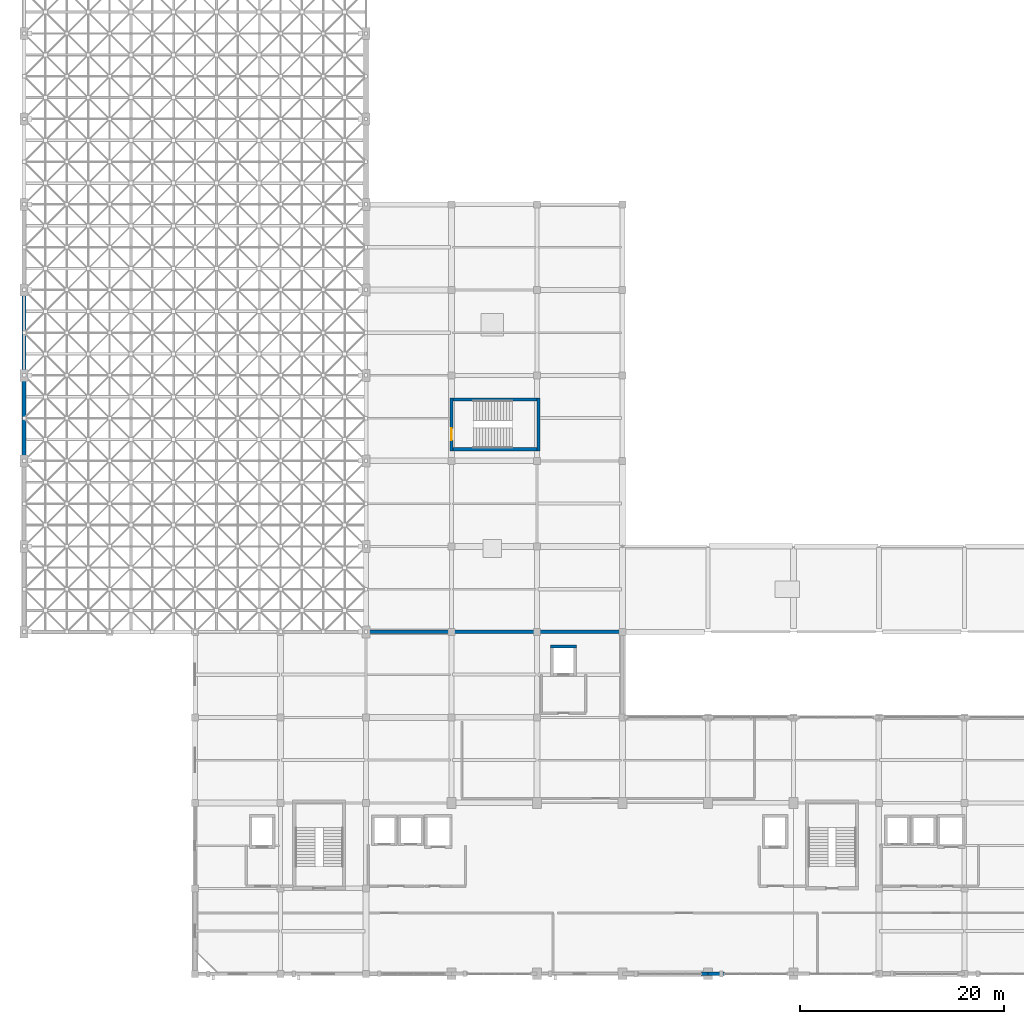
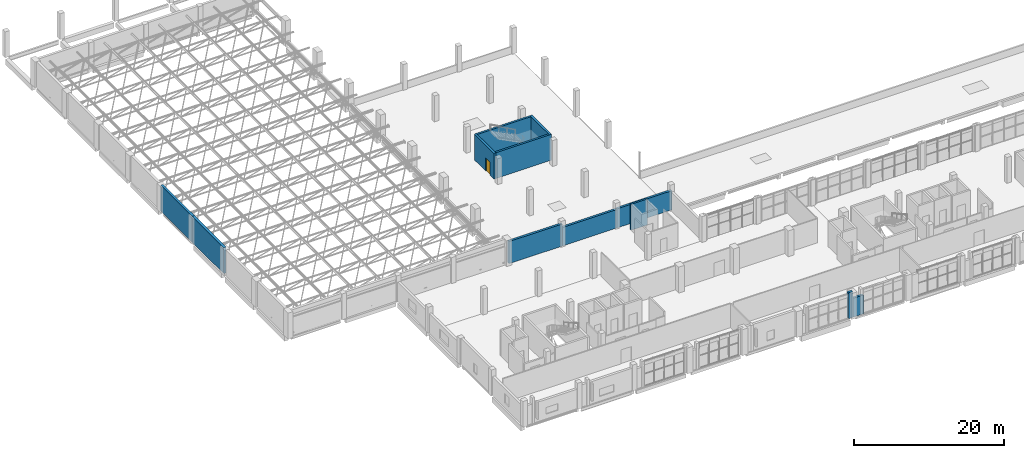
# One storey, part 53 of 64: 12 walls, 1 door, 1 opening.
"""IFC4 building model written with IfcOpenShell, lengths in metres."""

from ifc_helpers import new_model, si_unit, derived_unit, direction, frame, frame_2d, origin, place, context, subcontext, project, spatial, rectangle, extrude, material, layer, layer_set, type_object, element, fill, save


model = new_model("IFC4")

# Units and contexts
model_context = context("Model", 3, precision=1e-05, world=origin(), true_north=direction((0.0, 1.0)))
body_context = subcontext(model_context, "Body", "Model", "MODEL_VIEW")
ifc_project = project(units=[si_unit("LENGTHUNIT", "METRE"), si_unit("AREAUNIT", "SQUARE_METRE"), si_unit("VOLUMEUNIT", "CUBIC_METRE"), si_unit("PLANEANGLEUNIT", "RADIAN"), si_unit("MASSUNIT", "GRAM", prefix="KILO"), derived_unit("THERMALTRANSMITTANCEUNIT", [(si_unit("POWERUNIT", "WATT"), 1), (si_unit("LENGTHUNIT", "METRE"), -2), (si_unit("THERMODYNAMICTEMPERATUREUNIT", "KELVIN"), -1)])], contexts=[model_context])

# Site, building, storey
site_placement = place(None, origin())
site = spatial("IfcSite", under=ifc_project, at=site_placement, CompositionType="ELEMENT")
building_placement = place(site_placement, origin())
building = spatial("IfcBuilding", under=site, at=building_placement, Name="Barrovel Congress Hotel", CompositionType="ELEMENT")
storey_placement = place(building_placement, frame((0.0, 0.0, 14.10009765625)))
storey = spatial("IfcBuildingStorey", under=building, at=storey_placement, Name="L03", CompositionType="ELEMENT", Elevation=14.10009765625)

# Walls
ifc_material_1 = material(Name="Fired Clay Brick Masonry", Category="masonry")
ifc_layer_1 = layer(ifc_material_1, 0.340087890625)
ifc_layer_set_1 = layer_set([ifc_layer_1], Name="Fired Clay Brick Masonry")
wall_type_1 = type_object("IfcWallType", Name="EW-BRK340", PredefinedType="STANDARD", material=ifc_layer_set_1)
wall_1_placement = place(storey_placement, frame((58.800048828125, 37.800048828125, 0.0), z_axis=(0.0, 0.0, 1.0), x_axis=(-1.0, 0.0, 0.0)))
element("IfcWall", 1, at=wall_1_placement, inside=storey, type_object=wall_type_1, Name="EW:L03:V4N-W:P01", PredefinedType="STANDARD", context=body_context, shape_type="SweptSolid", body=[
    extrude(rectangle(XDim=8.400146484375, YDim=0.340087890625, at=frame_2d((4.2001953125, 0.0))), origin(), (0.0, 0.0, 1.0), 3.099853515625),
])
wall_2_placement = place(storey_placement, frame((50.39990234375, 37.800048828125, 0.0), z_axis=(0.0, 0.0, 1.0), x_axis=(-1.0, 0.0, 0.0)))
element("IfcWall", 2, at=wall_2_placement, inside=storey, type_object=wall_type_1, Name="EW:L03:V4N-W:P02", PredefinedType="STANDARD", context=body_context, shape_type="SweptSolid", body=[
    extrude(rectangle(XDim=8.39990234375, YDim=0.340087890625, at=frame_2d((4.199951171875, 0.0))), origin(), (0.0, 0.0, 1.0), 3.0),
])
wall_3_placement = place(storey_placement, frame((42.0, 37.800048828125, 0.0), z_axis=(0.0, 0.0, 1.0), x_axis=(-1.0, 0.0, 0.0)))
element("IfcWall", 3, at=wall_3_placement, inside=storey, type_object=wall_type_1, Name="EW:L03:V4N-W:P03", PredefinedType="STANDARD", context=body_context, shape_type="SweptSolid", body=[
    extrude(rectangle(XDim=8.199951171875, YDim=0.340087890625, at=frame_2d((4.10009765625, 0.0))), origin(), (0.0, 0.0, 1.0), 3.58984375),
])
ifc_layer_2 = layer(ifc_material_1, 0.360107421875)
ifc_layer_set_2 = layer_set([ifc_layer_2], Name="Fired Clay Brick Masonry")
wall_type_2 = type_object("IfcWallType", Name="EW-BRK360", PredefinedType="STANDARD", material=ifc_layer_set_2)
wall_4_placement = place(storey_placement, frame((66.5400390625, 4.199951171875, 0.0), z_axis=(0.0, 0.0, 1.0), x_axis=(1.0, 0.0, 0.0)))
element("IfcWall", 4, at=wall_4_placement, inside=storey, type_object=wall_type_2, Name="EW:L03:SJ-R:7", PredefinedType="STANDARD", context=body_context, shape_type="SweptSolid", body=[
    extrude(rectangle(XDim=0.659912109375, YDim=0.360107421875, at=frame_2d((0.330078125, 0.0))), origin(), (0.0, 0.0, 1.0), 4.199951171875),
])
wall_5_placement = place(storey_placement, frame((67.199951171875, 4.199951171875, 0.0), z_axis=(0.0, 0.0, 1.0), x_axis=(1.0, 0.0, 0.0)))
element("IfcWall", 5, at=wall_5_placement, inside=storey, type_object=wall_type_2, Name="EW:L03:SJ-L:8", PredefinedType="STANDARD", context=body_context, shape_type="SweptSolid", body=[
    extrude(rectangle(XDim=1.6201171875, YDim=0.360107421875, at=frame_2d((0.81005859375, 0.0))), origin(), (0.0, 0.0, 1.0), 3.0498046875),
])
ifc_layer_3 = layer(ifc_material_1, 0.3798828125)
ifc_layer_set_3 = layer_set([ifc_layer_3], Name="Fired Clay Brick Masonry")
wall_type_3 = type_object("IfcWallType", Name="EW-BRK380", PredefinedType="STANDARD", material=ifc_layer_set_3)
for number, where, z_axis, x_axis, name in (
    (6, (0.0, 71.39990234375, 0.0), (0.0, 0.0, 1.0), (0.0, -1.0, 0.0), "EW:L03:V1W:63.0"),
    (7, (0.0, 63.0, 0.0), (0.0, 0.0, 1.0), (0.0, -1.0, 0.0), "EW:L03:V1W:54.6"),
):
    element("IfcWall", number, at=place(storey_placement, frame(where, z_axis=z_axis, x_axis=x_axis)), inside=storey, type_object=wall_type_3, Name=name, PredefinedType="STANDARD", context=body_context, shape_type="SweptSolid", body=[
        extrude(rectangle(XDim=8.39990234375, YDim=0.3798828125, at=frame_2d((4.199951171875, 0.0))), origin(), (0.0, 0.0, 1.0), 4.199951171875),
    ])
ifc_material_2 = material(Name="Concrete C40", Category="concrete")
ifc_layer_4 = layer(ifc_material_2, 0.280029296875)
ifc_layer_set_4 = layer_set([ifc_layer_4], Name="Concrete C40")
wall_type_4 = type_object("IfcWallType", Name="SW-C40-280", PredefinedType="SHEAR", material=ifc_layer_set_4)
wall_6_placement = place(storey_placement, frame((54.260009765625, 36.3701171875, 0.0), z_axis=(0.0, 0.0, 1.0), x_axis=(-1.0, 0.0, 0.0)))
element("IfcWall", 8, at=wall_6_placement, inside=storey, type_object=wall_type_4, Name="LSH:CL-1:L03:N", PredefinedType="SHEAR", context=body_context, shape_type="SweptSolid", body=[
    extrude(rectangle(XDim=2.52001953125, YDim=0.280029296875, at=frame_2d((1.260009765625, 0.0))), origin(), (0.0, 0.0, 1.0), 4.199951171875),
])
ifc_layer_5 = layer(ifc_material_2, 0.300048828125)
ifc_layer_set_5 = layer_set([ifc_layer_5], Name="Concrete C40")
wall_type_5 = type_object("IfcWallType", Name="SW-C40-300", PredefinedType="SHEAR", material=ifc_layer_set_5)
wall_7_placement = place(storey_placement, frame((41.860107421875, 55.75, 0.0), z_axis=(0.0, 0.0, 1.0), x_axis=(1.0, 0.0, 0.0)))
element("IfcWall", 9, at=wall_7_placement, inside=storey, type_object=wall_type_5, Name="SHW:XS-05:L03:S", PredefinedType="SHEAR", context=body_context, shape_type="SweptSolid", body=[
    extrude(rectangle(XDim=8.83984375, YDim=0.300048828125, at=frame_2d((4.419921875, 0.0))), origin(), (0.0, 0.0, 1.0), 4.199951171875),
])
wall_8_placement = place(storey_placement, frame((50.550048828125, 55.60009765625, 0.0), z_axis=(0.0, 0.0, 1.0), x_axis=(0.0, 1.0, 0.0)))
element("IfcWall", 10, at=wall_8_placement, inside=storey, type_object=wall_type_5, Name="SHW:XS-05:L03:E", PredefinedType="SHEAR", context=body_context, shape_type="SweptSolid", body=[
    extrude(rectangle(XDim=5.199951171875, YDim=0.300048828125, at=frame_2d((2.60009765625, 0.0))), origin(), (0.0, 0.0, 1.0), 4.199951171875),
])
wall_9_placement = place(storey_placement, frame((50.699951171875, 60.64990234375, 0.0), z_axis=(0.0, 0.0, 1.0), x_axis=(-1.0, 0.0, 0.0)))
element("IfcWall", 11, at=wall_9_placement, inside=storey, type_object=wall_type_5, Name="SHW:XS-05:L03:N", PredefinedType="SHEAR", context=body_context, shape_type="SweptSolid", body=[
    extrude(rectangle(XDim=8.83984375, YDim=0.300048828125, at=frame_2d((4.419921875, 0.0))), origin(), (0.0, 0.0, 1.0), 4.199951171875),
])

# Wall, opening, door
wall_10_placement = place(storey_placement, frame((42.010009765625, 60.800048828125, 0.0), z_axis=(0.0, 0.0, 1.0), x_axis=(0.0, -1.0, 0.0)))
wall_10 = element("IfcWall", 12, at=wall_10_placement, inside=storey, type_object=wall_type_5, Name="SHW:XS-05:L03:W", PredefinedType="SHEAR", context=body_context, shape_type="SweptSolid", body=[
    extrude(rectangle(XDim=5.199951171875, YDim=0.300048828125, at=frame_2d((2.60009765625, 0.0))), origin(), (0.0, 0.0, 1.0), 4.199951171875),
])
opening_placement = place(wall_10_placement, frame((3.0, 0.0, 0.0)))
opening = element("IfcOpeningElement", 13, at=opening_placement, cuts=wall_10, Name="Opening ID-ST1", PredefinedType="OPENING", context=body_context, shape_type="SweptSolid", body=[
    extrude(rectangle(XDim=1.14990234375, YDim=2.14990234375, at=frame_2d((0.574951171875, 1.074951171875))), frame((0.0, 0.16015625, 0.0), z_axis=(0.0, -1.0, 0.0), x_axis=(1.0, 0.0, 0.0)), (0.0, 0.0, 1.0), 0.320068359375),
])
ifc_material_3 = material(Name="Painted Hollow-Metal Steel Door", Category="steel")
door_type = type_object("IfcDoorType", Name="IDR-ID-ST1", OperationType="NOTDEFINED", PredefinedType="DOOR", material=ifc_material_3)
door_placement = place(opening_placement, origin())
door = element("IfcDoor", 14, at=door_placement, inside=storey, type_object=door_type, Name="Stair Core Fire Door XS-05-L03", OperationType="SINGLE_SWING_RIGHT", OverallHeight=2.14990234375, OverallWidth=1.14990234375, PredefinedType="DOOR", context=body_context, shape_type="SweptSolid", body=[
    extrude(rectangle(XDim=1.14990234375, YDim=2.14990234375, at=frame_2d((0.574951171875, 1.074951171875))), frame((0.0, 0.02490234375, 0.0), z_axis=(0.0, -1.0, 0.0), x_axis=(1.0, 0.0, 0.0)), (0.0, 0.0, 1.0), 0.050048828125),
])
fill(opening, door)

save(model, "model.ifc")
